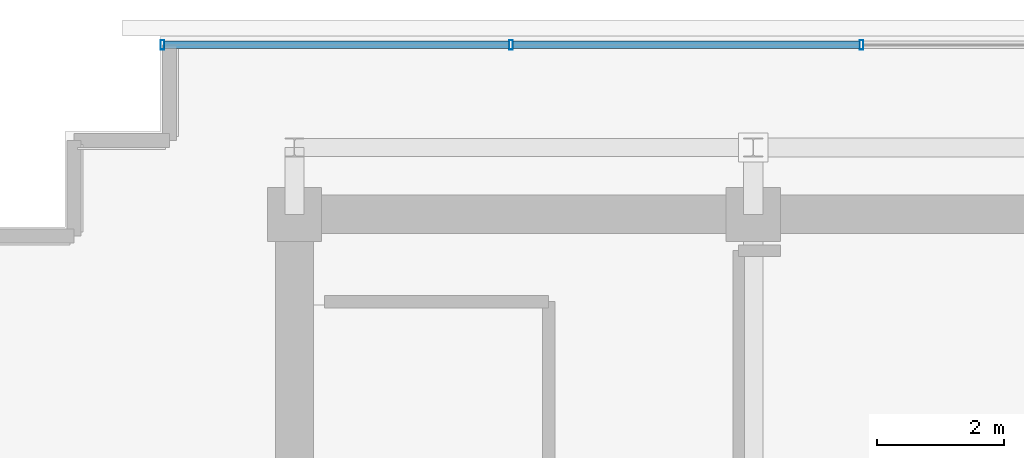
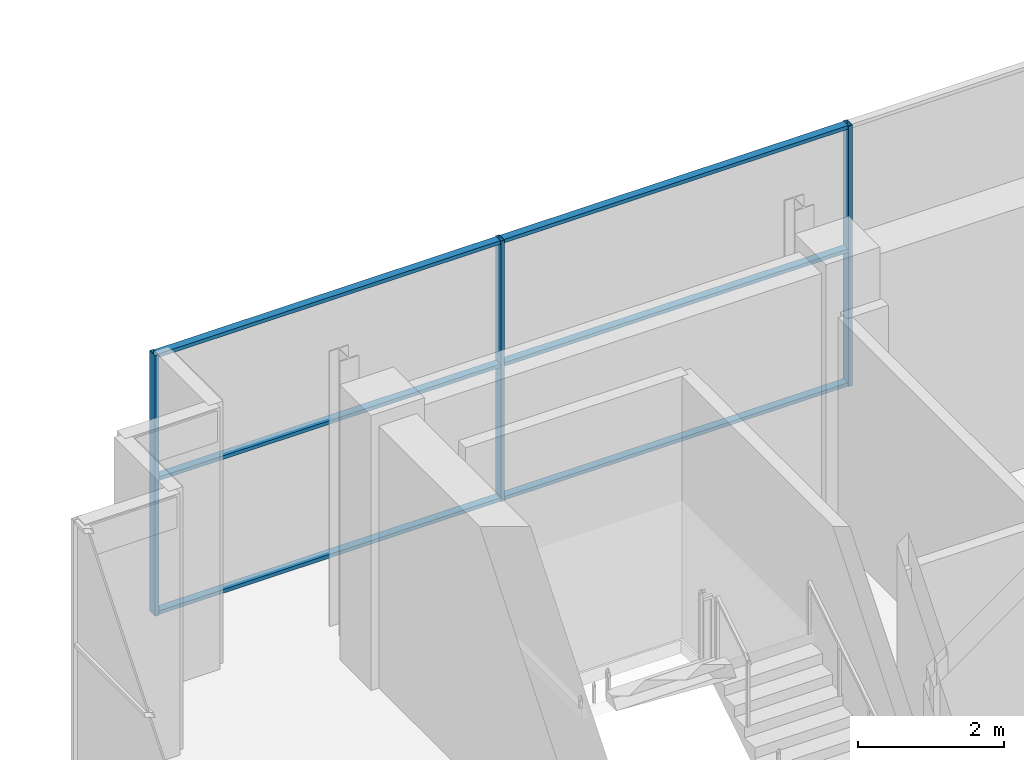
# One storey, part 19 of 26: 9 members, 1 element without a shape of its own.
"""IFC4 building model written with IfcOpenShell, lengths in metres."""

from ifc_helpers import new_model, si_unit, direction, frame, origin, origin_2d, place, context, subcontext, project, spatial, hollow_rectangle, extrude, source, transform, mapped, material, layer, layer_set, material_profile, profile_set, type_object, element, aggregate, save


model = new_model("IFC4")

# Units and contexts
model_context = context("Model", 3, precision=1e-05, world=origin(), true_north=direction((0.0, 1.0)))
body_context = subcontext(model_context, "Body", "Model", "MODEL_VIEW")
ifc_project = project(units=[si_unit("LENGTHUNIT", "METRE"), si_unit("AREAUNIT", "SQUARE_METRE"), si_unit("VOLUMEUNIT", "CUBIC_METRE"), si_unit("PLANEANGLEUNIT", "RADIAN"), si_unit("MASSUNIT", "GRAM", prefix="KILO")], contexts=[model_context])

# Site, building, storey
site_placement = place(None, origin())
site = spatial("IfcSite", under=ifc_project, at=site_placement, CompositionType="ELEMENT")
building_placement = place(site_placement, origin())
building = spatial("IfcBuilding", under=site, at=building_placement, Name="Zarnakvel Exchange Tower", CompositionType="ELEMENT")
storey_placement = place(building_placement, frame((0.0, 0.0, 280.800048828125)))
storey = spatial("IfcBuildingStorey", under=building, at=storey_placement, Name="Crown L79", CompositionType="ELEMENT", Elevation=280.800048828125)

# Curtain wall, members
ifc_material = material(Name="Architectural Bronze Anodised Aluminium", Category="aluminium")
ifc_layer = layer(ifc_material, 0.14990234375)
ifc_layer_set = layer_set([ifc_layer], Name="Architectural Bronze Anodised Aluminium")
curtain_wall_type = type_object("IfcCurtainWallType", Name="CW-07", PredefinedType="NOTDEFINED", material=ifc_layer_set)
curtain_wall_placement = place(storey_placement, origin())
curtain_wall = element("IfcCurtainWall", 1, at=curtain_wall_placement, inside=storey, type_object=curtain_wall_type, Name="Crown L79 Curtain Wall CW-Crown L79-N (CW-07)", PredefinedType="NOTDEFINED")
ifc_material_profile_1 = material_profile(ifc_material, hollow_rectangle(XDim=0.14990234375, YDim=0.06005859375, WallThickness=0.00390625, at=origin_2d()))
ifc_profile_set_1 = profile_set([ifc_material_profile_1], Name="Architectural Bronze Anodised Aluminium")
member_type_1 = type_object("IfcMemberType", Name="CWM-07", PredefinedType="MULLION", material=ifc_profile_set_1)
shared_shape_1 = source(origin(), body_context, "Body", "SweptSolid", [
    extrude(hollow_rectangle(XDim=0.14990234375, YDim=0.06005859375, WallThickness=0.00390625, at=origin_2d()), origin(), (0.0, 0.0, 1.0), 4.35986328125),
])
member_1_placement = place(storey_placement, frame((-16.469970703125, 16.159912109375, 0.0), z_axis=(0.0, 0.0, 1.0), x_axis=(0.0, 1.0, 0.0)))
member_1 = element("IfcMember", 2, at=member_1_placement, type_object=member_type_1, Name="CW-07 mullion 1", PredefinedType="MULLION", context=body_context, shape_type="MappedRepresentation", body=[
    mapped(shared_shape_1, transform((0.0, 0.0, 0.0), x_axis=(1.0, 0.0, 0.0), y_axis=(0.0, 1.0, 0.0), z_axis=(0.0, 0.0, 1.0), scale=1.0)),
])
member_2_placement = place(storey_placement, frame((-11.0, 16.159912109375, 0.0), z_axis=(0.0, 0.0, 1.0), x_axis=(0.0, 1.0, 0.0)))
member_2 = element("IfcMember", 3, at=member_2_placement, type_object=member_type_1, Name="CW-07 mullion 2", PredefinedType="MULLION", context=body_context, shape_type="MappedRepresentation", body=[
    mapped(shared_shape_1, transform((0.0, 0.0, 0.0), x_axis=(1.0, 0.0, 0.0), y_axis=(0.0, 1.0, 0.0), z_axis=(0.0, 0.0, 1.0), scale=1.0)),
])
member_3_placement = place(storey_placement, frame((-5.5, 16.159912109375, 0.0), z_axis=(0.0, 0.0, 1.0), x_axis=(0.0, 1.0, 0.0)))
member_3 = element("IfcMember", 4, at=member_3_placement, type_object=member_type_1, Name="CW-07 mullion 3", PredefinedType="MULLION", context=body_context, shape_type="MappedRepresentation", body=[
    mapped(shared_shape_1, transform((0.0, 0.0, 0.0), x_axis=(1.0, 0.0, 0.0), y_axis=(0.0, 1.0, 0.0), z_axis=(0.0, 0.0, 1.0), scale=1.0)),
])
ifc_material_profile_2 = material_profile(ifc_material, hollow_rectangle(XDim=0.1201171875, YDim=0.06005859375, WallThickness=0.00390625, at=origin_2d()))
ifc_profile_set_2 = profile_set([ifc_material_profile_2], Name="Architectural Bronze Anodised Aluminium")
member_type_2 = type_object("IfcMemberType", Name="CWT-07", PredefinedType="USERDEFINED", material=ifc_profile_set_2)
shared_shape_2 = source(origin(), body_context, "Body", "SweptSolid", [
    extrude(hollow_rectangle(XDim=0.1201171875, YDim=0.06005859375, WallThickness=0.00390625, at=origin_2d()), origin(), (0.0, 0.0, 1.0), 5.409912109375),
])
member_4_placement = place(storey_placement, frame((-16.43994140625, 16.159912109375, 0.030029296875), z_axis=(1.0, 0.0, 0.0), x_axis=(0.0, 1.0, 0.0)))
member_4 = element("IfcMember", 5, at=member_4_placement, type_object=member_type_2, Name="CW-07 transom 1.1", ObjectType="TRANSOM", PredefinedType="USERDEFINED", context=body_context, shape_type="MappedRepresentation", body=[
    mapped(shared_shape_2, transform((0.0, 0.0, 0.0), x_axis=(1.0, 0.0, 0.0), y_axis=(0.0, 1.0, 0.0), z_axis=(0.0, 0.0, 1.0), scale=1.0)),
])
member_5_placement = place(storey_placement, frame((-16.43994140625, 16.159912109375, 2.26708984375), z_axis=(1.0, 0.0, 0.0), x_axis=(0.0, 1.0, 0.0)))
member_5 = element("IfcMember", 6, at=member_5_placement, type_object=member_type_2, Name="CW-07 transom 1.2", ObjectType="TRANSOM", PredefinedType="USERDEFINED", context=body_context, shape_type="MappedRepresentation", body=[
    mapped(shared_shape_2, transform((0.0, 0.0, 0.0), x_axis=(1.0, 0.0, 0.0), y_axis=(0.0, 1.0, 0.0), z_axis=(0.0, 0.0, 1.0), scale=1.0)),
])
member_6_placement = place(storey_placement, frame((-16.43994140625, 16.159912109375, 4.329833984375), z_axis=(1.0, 0.0, 0.0), x_axis=(0.0, 1.0, 0.0)))
member_6 = element("IfcMember", 7, at=member_6_placement, type_object=member_type_2, Name="CW-07 transom 1.3", ObjectType="TRANSOM", PredefinedType="USERDEFINED", context=body_context, shape_type="MappedRepresentation", body=[
    mapped(shared_shape_2, transform((0.0, 0.0, 0.0), x_axis=(1.0, 0.0, 0.0), y_axis=(0.0, 1.0, 0.0), z_axis=(0.0, 0.0, 1.0), scale=1.0)),
])
shared_shape_3 = source(origin(), body_context, "Body", "SweptSolid", [
    extrude(hollow_rectangle(XDim=0.1201171875, YDim=0.06005859375, WallThickness=0.00390625, at=origin_2d()), origin(), (0.0, 0.0, 1.0), 5.43994140625),
])
member_7_placement = place(storey_placement, frame((-10.969970703125, 16.159912109375, 0.030029296875), z_axis=(1.0, 0.0, 0.0), x_axis=(0.0, 1.0, 0.0)))
member_7 = element("IfcMember", 8, at=member_7_placement, type_object=member_type_2, Name="CW-07 transom 2.1", ObjectType="TRANSOM", PredefinedType="USERDEFINED", context=body_context, shape_type="MappedRepresentation", body=[
    mapped(shared_shape_3, transform((0.0, 0.0, 0.0), x_axis=(1.0, 0.0, 0.0), y_axis=(0.0, 1.0, 0.0), z_axis=(0.0, 0.0, 1.0), scale=1.0)),
])
member_8_placement = place(storey_placement, frame((-10.969970703125, 16.159912109375, 2.26708984375), z_axis=(1.0, 0.0, 0.0), x_axis=(0.0, 1.0, 0.0)))
member_8 = element("IfcMember", 9, at=member_8_placement, type_object=member_type_2, Name="CW-07 transom 2.2", ObjectType="TRANSOM", PredefinedType="USERDEFINED", context=body_context, shape_type="MappedRepresentation", body=[
    mapped(shared_shape_3, transform((0.0, 0.0, 0.0), x_axis=(1.0, 0.0, 0.0), y_axis=(0.0, 1.0, 0.0), z_axis=(0.0, 0.0, 1.0), scale=1.0)),
])
member_9_placement = place(storey_placement, frame((-10.969970703125, 16.159912109375, 4.329833984375), z_axis=(1.0, 0.0, 0.0), x_axis=(0.0, 1.0, 0.0)))
member_9 = element("IfcMember", 10, at=member_9_placement, type_object=member_type_2, Name="CW-07 transom 2.3", ObjectType="TRANSOM", PredefinedType="USERDEFINED", context=body_context, shape_type="MappedRepresentation", body=[
    mapped(shared_shape_3, transform((0.0, 0.0, 0.0), x_axis=(1.0, 0.0, 0.0), y_axis=(0.0, 1.0, 0.0), z_axis=(0.0, 0.0, 1.0), scale=1.0)),
])
aggregate(curtain_wall, [member_1, member_2, member_3, member_4, member_5, member_6, member_7, member_8, member_9])

save(model, "model.ifc")
